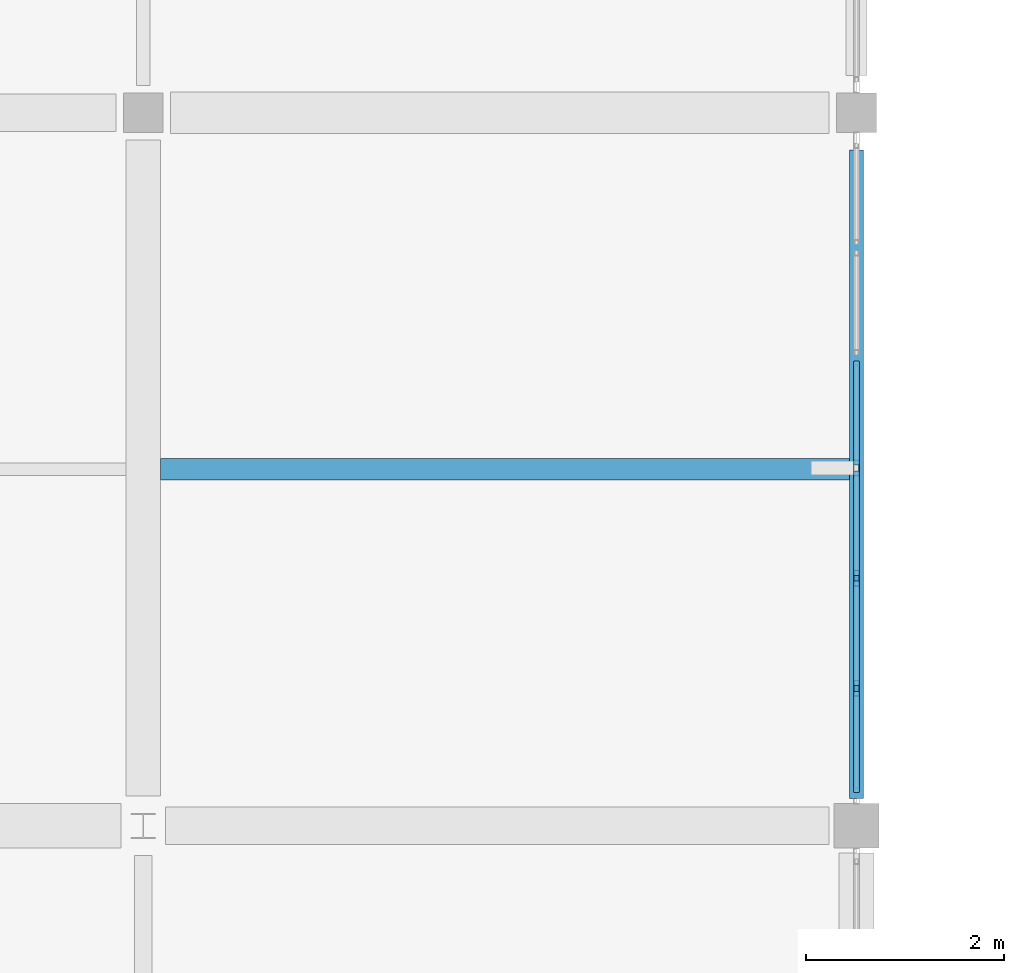
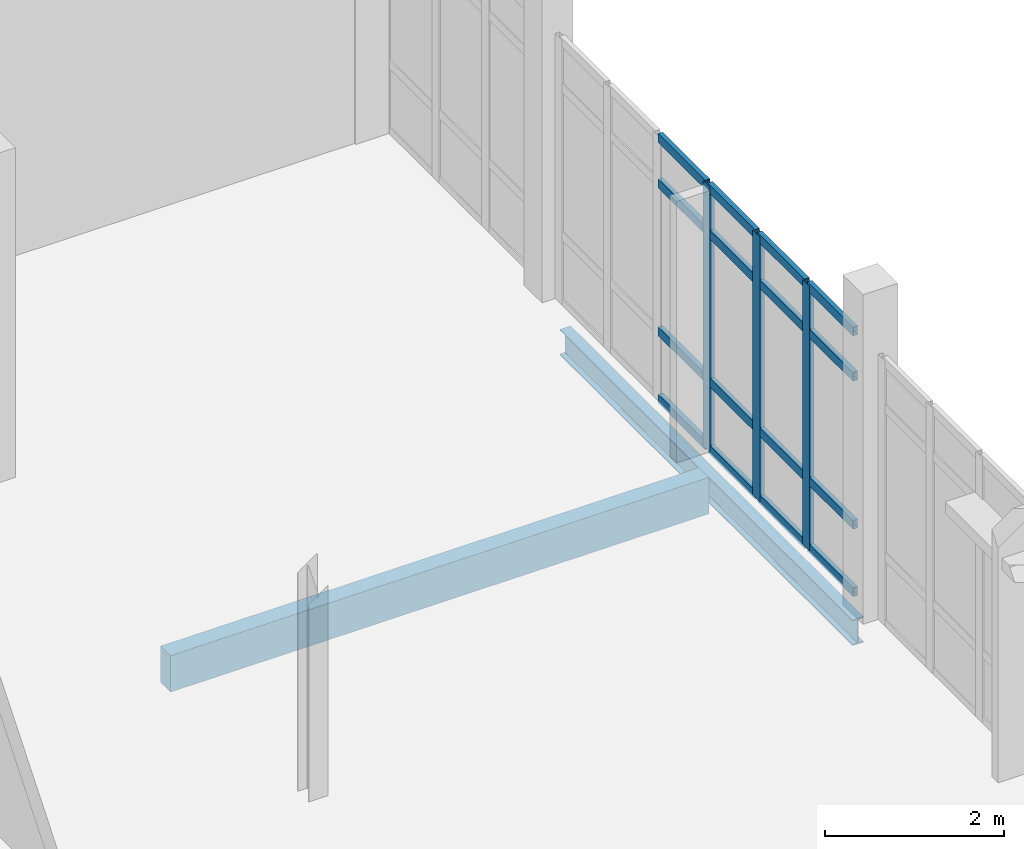
# One storey, part 17 of 62: 19 members, 2 beams, 1 element without a shape of its own.
"""IFC4 building model written with IfcOpenShell, lengths in metres."""

from ifc_helpers import new_model, si_unit, direction, frame, origin, origin_2d, place, context, subcontext, project, spatial, rectangle, hollow_rectangle, i_section, extrude, material, material_profile, profile_set, type_object, element, aggregate, save


model = new_model("IFC4")

# Units and contexts
model_context = context("Model", 3, precision=1e-05, world=origin(), true_north=direction((0.0, 1.0)))
body_context = subcontext(model_context, "Body", "Model", "MODEL_VIEW")
ifc_project = project(units=[si_unit("LENGTHUNIT", "METRE"), si_unit("AREAUNIT", "SQUARE_METRE"), si_unit("VOLUMEUNIT", "CUBIC_METRE"), si_unit("PLANEANGLEUNIT", "RADIAN"), si_unit("MASSUNIT", "GRAM", prefix="KILO")], contexts=[model_context])

# Site, building, storey
site_placement = place(None, origin())
site = spatial("IfcSite", under=ifc_project, at=site_placement, CompositionType="ELEMENT")
building_placement = place(site_placement, origin())
building = spatial("IfcBuilding", under=site, at=building_placement, Name="Kalluvel Institute of Natural Sciences", CompositionType="ELEMENT")
storey_placement = place(building_placement, frame((0.0, 0.0, 27.89990234375)))
storey = spatial("IfcBuildingStorey", under=building, at=storey_placement, Name="L06", CompositionType="ELEMENT", Elevation=27.89990234375)

# Beam
ifc_material_1 = material(Name="Steel E350 Grade 350", Category="steel")
ifc_material_profile_1 = material_profile(ifc_material_1, i_section(OverallWidth=0.139892578125, OverallDepth=0.35009765625, WebThickness=0.008056640625, FlangeThickness=0.01416015625, FilletRadius=0.013916015625, at=origin_2d()), Name="ISMB 350")
ifc_profile_set_1 = profile_set([ifc_material_profile_1], Name="Steel E350 Grade 350")
beam_type_1 = type_object("IfcBeamType", Name="BM-ISMB350", PredefinedType="BEAM", material=ifc_profile_set_1)
beam_1_placement = place(storey_placement, frame((35.60009765625, 71.875, -0.474853515625), z_axis=(0.0, 1.0, 0.0), x_axis=(-1.0, 0.0, 0.0)))
element("IfcBeam", 1, at=beam_1_placement, inside=storey, type_object=beam_type_1, Name="L06 girder GIR-L06-NS-X356-Y716", PredefinedType="BEAM", context=body_context, shape_type="SweptSolid", body=[
    extrude(i_section(OverallWidth=0.139892578125, OverallDepth=0.35009765625, WebThickness=0.008056640625, FlangeThickness=0.01416015625, FilletRadius=0.013916015625, at=origin_2d()), origin(), (0.0, 0.0, 1.0), 6.550048828125),
])

# Curtain wall, members
ifc_material_2 = material(Name="Aluminium AW-6063 T6", Category="aluminium")
curtain_wall_type = type_object("IfcCurtainWallType", Name="CW-DRY-45", PredefinedType="USERDEFINED", material=ifc_material_2)
curtain_wall_placement = place(storey_placement, origin())
curtain_wall = element("IfcCurtainWall", 2, at=curtain_wall_placement, inside=storey, type_object=curtain_wall_type, Name="L06 Gothic lancet curtain wall CWA-L06-X356-Y719", ObjectType="UNITISED LANCET FACADE", PredefinedType="USERDEFINED")
ifc_material_profile_2 = material_profile(ifc_material_2, hollow_rectangle(XDim=0.06005859375, YDim=0.159912109375, WallThickness=0.00390625, at=origin_2d()), Name="CWM 60x160")
ifc_profile_set_2 = profile_set([ifc_material_profile_2], Name="Aluminium AW-6063 T6")
member_type_1 = type_object("IfcMemberType", Name="CWM-60x160", PredefinedType="MULLION", material=ifc_profile_set_2)
member_1_placement = place(storey_placement, frame((35.60009765625, 72.987548828125, 0.0), z_axis=(0.0, 0.0, 1.0), x_axis=(-1.0, 0.0, 0.0)))
member_1 = element("IfcMember", 3, at=member_1_placement, type_object=member_type_1, Name="CW-03 mullion 2", PredefinedType="MULLION", context=body_context, shape_type="SweptSolid", body=[
    extrude(hollow_rectangle(XDim=0.06005859375, YDim=0.159912109375, WallThickness=0.00390625, at=origin_2d()), origin(), (0.0, 0.0, 1.0), 3.6201171875),
])
member_2_placement = place(storey_placement, frame((35.60009765625, 74.10009765625, 0.0), z_axis=(0.0, 0.0, 1.0), x_axis=(-1.0, 0.0, 0.0)))
member_2 = element("IfcMember", 4, at=member_2_placement, type_object=member_type_1, Name="CW-03 mullion 3", PredefinedType="MULLION", context=body_context, shape_type="SweptSolid", body=[
    extrude(hollow_rectangle(XDim=0.06005859375, YDim=0.159912109375, WallThickness=0.00390625, at=origin_2d()), origin(), (0.0, 0.0, 1.0), 3.6201171875),
])
member_3_placement = place(storey_placement, frame((35.60009765625, 75.21240234375, 0.0), z_axis=(0.0, 0.0, 1.0), x_axis=(-1.0, 0.0, 0.0)))
member_3 = element("IfcMember", 5, at=member_3_placement, type_object=member_type_1, Name="CW-03 mullion 4", PredefinedType="MULLION", context=body_context, shape_type="SweptSolid", body=[
    extrude(hollow_rectangle(XDim=0.06005859375, YDim=0.159912109375, WallThickness=0.00390625, at=origin_2d()), origin(), (0.0, 0.0, 1.0), 3.6201171875),
])
ifc_material_profile_3 = material_profile(ifc_material_2, hollow_rectangle(XDim=0.06005859375, YDim=0.1201171875, WallThickness=0.00390625, at=origin_2d()), Name="CWT 60x120")
ifc_profile_set_3 = profile_set([ifc_material_profile_3], Name="Aluminium AW-6063 T6")
member_type_2 = type_object("IfcMemberType", Name="CWT-60x120", PredefinedType="USERDEFINED", material=ifc_profile_set_3)
member_4_placement = place(storey_placement, frame((35.60009765625, 71.93505859375, 0.030029296875), z_axis=(0.0, 1.0, 0.0), x_axis=(-1.0, 0.0, 0.0)))
member_4 = element("IfcMember", 6, at=member_4_placement, type_object=member_type_2, Name="CW-03 transom 1.1", ObjectType="TRANSOM", PredefinedType="USERDEFINED", context=body_context, shape_type="SweptSolid", body=[
    extrude(hollow_rectangle(XDim=0.06005859375, YDim=0.1201171875, WallThickness=0.00390625, at=origin_2d()), origin(), (0.0, 0.0, 1.0), 1.0224609375),
])
member_5_placement = place(storey_placement, frame((35.60009765625, 71.93505859375, 0.9501953125), z_axis=(0.0, 1.0, 0.0), x_axis=(-1.0, 0.0, 0.0)))
member_5 = element("IfcMember", 7, at=member_5_placement, type_object=member_type_2, Name="CW-03 transom 1.2", ObjectType="TRANSOM", PredefinedType="USERDEFINED", context=body_context, shape_type="SweptSolid", body=[
    extrude(hollow_rectangle(XDim=0.06005859375, YDim=0.1201171875, WallThickness=0.00390625, at=origin_2d()), origin(), (0.0, 0.0, 1.0), 1.0224609375),
])
member_6_placement = place(storey_placement, frame((35.60009765625, 71.93505859375, 2.97021484375), z_axis=(0.0, 1.0, 0.0), x_axis=(-1.0, 0.0, 0.0)))
member_6 = element("IfcMember", 8, at=member_6_placement, type_object=member_type_2, Name="CW-03 transom 1.3", ObjectType="TRANSOM", PredefinedType="USERDEFINED", context=body_context, shape_type="SweptSolid", body=[
    extrude(hollow_rectangle(XDim=0.06005859375, YDim=0.1201171875, WallThickness=0.00390625, at=origin_2d()), origin(), (0.0, 0.0, 1.0), 1.0224609375),
])
member_7_placement = place(storey_placement, frame((35.60009765625, 71.93505859375, 3.590087890625), z_axis=(0.0, 1.0, 0.0), x_axis=(-1.0, 0.0, 0.0)))
member_7 = element("IfcMember", 9, at=member_7_placement, type_object=member_type_2, Name="CW-03 transom 1.4", ObjectType="TRANSOM", PredefinedType="USERDEFINED", context=body_context, shape_type="SweptSolid", body=[
    extrude(hollow_rectangle(XDim=0.06005859375, YDim=0.1201171875, WallThickness=0.00390625, at=origin_2d()), origin(), (0.0, 0.0, 1.0), 1.0224609375),
])
member_8_placement = place(storey_placement, frame((35.60009765625, 73.017578125, 0.030029296875), z_axis=(0.0, 1.0, 0.0), x_axis=(-1.0, 0.0, 0.0)))
member_8 = element("IfcMember", 10, at=member_8_placement, type_object=member_type_2, Name="CW-03 transom 2.1", ObjectType="TRANSOM", PredefinedType="USERDEFINED", context=body_context, shape_type="SweptSolid", body=[
    extrude(hollow_rectangle(XDim=0.06005859375, YDim=0.1201171875, WallThickness=0.00390625, at=origin_2d()), origin(), (0.0, 0.0, 1.0), 1.052490234375),
])
member_9_placement = place(storey_placement, frame((35.60009765625, 73.017578125, 0.9501953125), z_axis=(0.0, 1.0, 0.0), x_axis=(-1.0, 0.0, 0.0)))
member_9 = element("IfcMember", 11, at=member_9_placement, type_object=member_type_2, Name="CW-03 transom 2.2", ObjectType="TRANSOM", PredefinedType="USERDEFINED", context=body_context, shape_type="SweptSolid", body=[
    extrude(hollow_rectangle(XDim=0.06005859375, YDim=0.1201171875, WallThickness=0.00390625, at=origin_2d()), origin(), (0.0, 0.0, 1.0), 1.052490234375),
])
member_10_placement = place(storey_placement, frame((35.60009765625, 73.017578125, 2.97021484375), z_axis=(0.0, 1.0, 0.0), x_axis=(-1.0, 0.0, 0.0)))
member_10 = element("IfcMember", 12, at=member_10_placement, type_object=member_type_2, Name="CW-03 transom 2.3", ObjectType="TRANSOM", PredefinedType="USERDEFINED", context=body_context, shape_type="SweptSolid", body=[
    extrude(hollow_rectangle(XDim=0.06005859375, YDim=0.1201171875, WallThickness=0.00390625, at=origin_2d()), origin(), (0.0, 0.0, 1.0), 1.052490234375),
])
member_11_placement = place(storey_placement, frame((35.60009765625, 73.017578125, 3.590087890625), z_axis=(0.0, 1.0, 0.0), x_axis=(-1.0, 0.0, 0.0)))
member_11 = element("IfcMember", 13, at=member_11_placement, type_object=member_type_2, Name="CW-03 transom 2.4", ObjectType="TRANSOM", PredefinedType="USERDEFINED", context=body_context, shape_type="SweptSolid", body=[
    extrude(hollow_rectangle(XDim=0.06005859375, YDim=0.1201171875, WallThickness=0.00390625, at=origin_2d()), origin(), (0.0, 0.0, 1.0), 1.052490234375),
])
member_12_placement = place(storey_placement, frame((35.60009765625, 74.1298828125, 0.030029296875), z_axis=(0.0, 1.0, 0.0), x_axis=(-1.0, 0.0, 0.0)))
member_12 = element("IfcMember", 14, at=member_12_placement, type_object=member_type_2, Name="CW-03 transom 3.1", ObjectType="TRANSOM", PredefinedType="USERDEFINED", context=body_context, shape_type="SweptSolid", body=[
    extrude(hollow_rectangle(XDim=0.06005859375, YDim=0.1201171875, WallThickness=0.00390625, at=origin_2d()), origin(), (0.0, 0.0, 1.0), 1.052734375),
])
member_13_placement = place(storey_placement, frame((35.60009765625, 74.1298828125, 0.9501953125), z_axis=(0.0, 1.0, 0.0), x_axis=(-1.0, 0.0, 0.0)))
member_13 = element("IfcMember", 15, at=member_13_placement, type_object=member_type_2, Name="CW-03 transom 3.2", ObjectType="TRANSOM", PredefinedType="USERDEFINED", context=body_context, shape_type="SweptSolid", body=[
    extrude(hollow_rectangle(XDim=0.06005859375, YDim=0.1201171875, WallThickness=0.00390625, at=origin_2d()), origin(), (0.0, 0.0, 1.0), 1.052734375),
])
member_14_placement = place(storey_placement, frame((35.60009765625, 74.1298828125, 2.97021484375), z_axis=(0.0, 1.0, 0.0), x_axis=(-1.0, 0.0, 0.0)))
member_14 = element("IfcMember", 16, at=member_14_placement, type_object=member_type_2, Name="CW-03 transom 3.3", ObjectType="TRANSOM", PredefinedType="USERDEFINED", context=body_context, shape_type="SweptSolid", body=[
    extrude(hollow_rectangle(XDim=0.06005859375, YDim=0.1201171875, WallThickness=0.00390625, at=origin_2d()), origin(), (0.0, 0.0, 1.0), 1.052734375),
])
member_15_placement = place(storey_placement, frame((35.60009765625, 74.1298828125, 3.590087890625), z_axis=(0.0, 1.0, 0.0), x_axis=(-1.0, 0.0, 0.0)))
member_15 = element("IfcMember", 17, at=member_15_placement, type_object=member_type_2, Name="CW-03 transom 3.4", ObjectType="TRANSOM", PredefinedType="USERDEFINED", context=body_context, shape_type="SweptSolid", body=[
    extrude(hollow_rectangle(XDim=0.06005859375, YDim=0.1201171875, WallThickness=0.00390625, at=origin_2d()), origin(), (0.0, 0.0, 1.0), 1.052734375),
])
member_16_placement = place(storey_placement, frame((35.60009765625, 75.242431640625, 0.030029296875), z_axis=(0.0, 1.0, 0.0), x_axis=(-1.0, 0.0, 0.0)))
member_16 = element("IfcMember", 18, at=member_16_placement, type_object=member_type_2, Name="CW-03 transom 4.1", ObjectType="TRANSOM", PredefinedType="USERDEFINED", context=body_context, shape_type="SweptSolid", body=[
    extrude(hollow_rectangle(XDim=0.06005859375, YDim=0.1201171875, WallThickness=0.00390625, at=origin_2d()), origin(), (0.0, 0.0, 1.0), 1.052490234375),
])
member_17_placement = place(storey_placement, frame((35.60009765625, 75.242431640625, 0.9501953125), z_axis=(0.0, 1.0, 0.0), x_axis=(-1.0, 0.0, 0.0)))
member_17 = element("IfcMember", 19, at=member_17_placement, type_object=member_type_2, Name="CW-03 transom 4.2", ObjectType="TRANSOM", PredefinedType="USERDEFINED", context=body_context, shape_type="SweptSolid", body=[
    extrude(hollow_rectangle(XDim=0.06005859375, YDim=0.1201171875, WallThickness=0.00390625, at=origin_2d()), origin(), (0.0, 0.0, 1.0), 1.052490234375),
])
member_18_placement = place(storey_placement, frame((35.60009765625, 75.242431640625, 2.97021484375), z_axis=(0.0, 1.0, 0.0), x_axis=(-1.0, 0.0, 0.0)))
member_18 = element("IfcMember", 20, at=member_18_placement, type_object=member_type_2, Name="CW-03 transom 4.3", ObjectType="TRANSOM", PredefinedType="USERDEFINED", context=body_context, shape_type="SweptSolid", body=[
    extrude(hollow_rectangle(XDim=0.06005859375, YDim=0.1201171875, WallThickness=0.00390625, at=origin_2d()), origin(), (0.0, 0.0, 1.0), 1.052490234375),
])
member_19_placement = place(storey_placement, frame((35.60009765625, 75.242431640625, 3.590087890625), z_axis=(0.0, 1.0, 0.0), x_axis=(-1.0, 0.0, 0.0)))
member_19 = element("IfcMember", 21, at=member_19_placement, type_object=member_type_2, Name="CW-03 transom 4.4", ObjectType="TRANSOM", PredefinedType="USERDEFINED", context=body_context, shape_type="SweptSolid", body=[
    extrude(hollow_rectangle(XDim=0.06005859375, YDim=0.1201171875, WallThickness=0.00390625, at=origin_2d()), origin(), (0.0, 0.0, 1.0), 1.052490234375),
])
aggregate(curtain_wall, [member_1, member_2, member_3, member_4, member_5, member_6, member_7, member_8, member_9, member_10, member_11, member_12, member_13, member_14, member_15, member_16, member_17, member_18, member_19])

# Beam
ifc_material_3 = material(Name="Concrete M40", Category="concrete")
ifc_material_profile_4 = material_profile(ifc_material_3, rectangle(XDim=0.219970703125, YDim=0.5, at=origin_2d()), Name="WAF 220x500")
ifc_profile_set_4 = profile_set([ifc_material_profile_4], Name="Concrete M40")
beam_type_2 = type_object("IfcBeamType", Name="WJ-220x500", PredefinedType="JOIST", material=ifc_profile_set_4)
beam_2_placement = place(storey_placement, frame((28.574951171875, 75.199951171875, -0.5498046875), z_axis=(1.0, 0.0, 0.0), x_axis=(0.0, 1.0, 0.0)))
element("IfcBeam", 22, at=beam_2_placement, inside=storey, type_object=beam_type_2, Name="L06 floor rib RIB-L06-0772", PredefinedType="JOIST", context=body_context, shape_type="SweptSolid", body=[
    extrude(rectangle(XDim=0.219970703125, YDim=0.5, at=origin_2d()), origin(), (0.0, 0.0, 1.0), 6.955078125),
])

save(model, "model.ifc")
